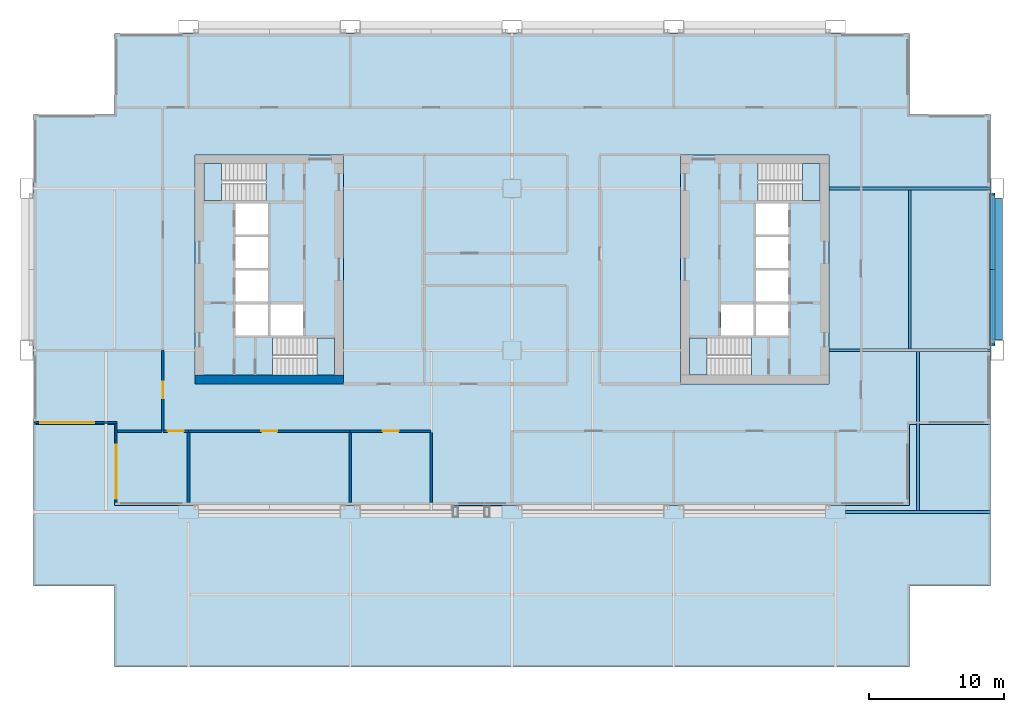
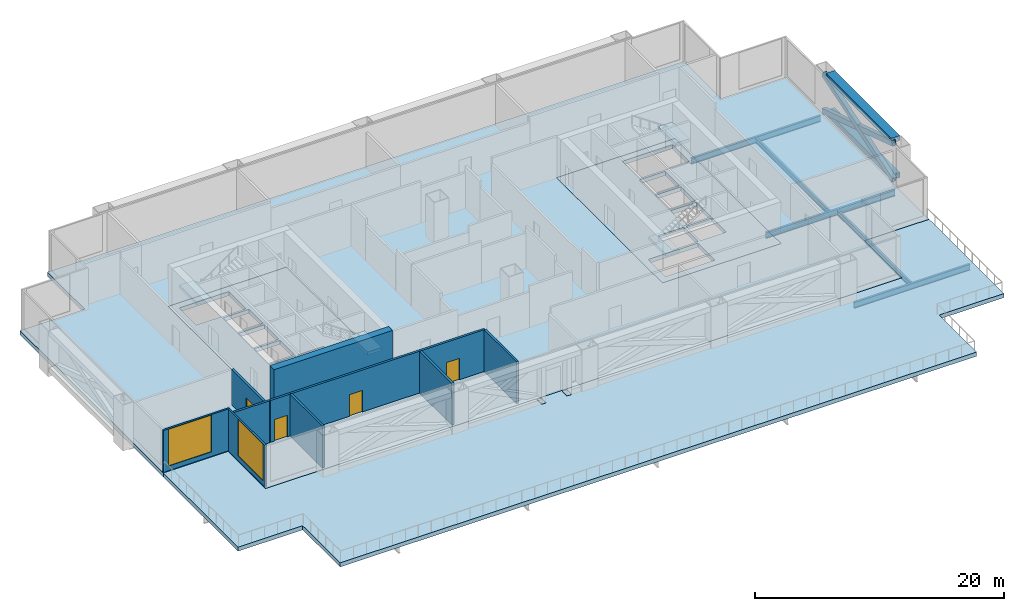
# One storey, part 3 of 8: 11 walls, 8 slabs, 7 beams, 4 doors, 2 members, 2 plates, 2 windows, 6 openings, 4 elements without a shape of their own.
"""IFC4 building model written with IfcOpenShell, lengths in metres."""

from ifc_helpers import new_model, si_unit, direction, frame, frame_2d, origin, origin_2d, place, context, subcontext, project, spatial, polyline, rectangle, hollow_rectangle, i_section, outline, extrude, material, layer, layer_set, material_profile, profile_set, type_object, element, fill, aggregate, save


model = new_model("IFC4")

# Units and contexts
model_context = context("Model", 3, precision=1e-05, world=origin(), true_north=direction((0.0, 1.0)))
body_context = subcontext(model_context, "Body", "Model", "MODEL_VIEW")
ifc_project = project(units=[si_unit("LENGTHUNIT", "METRE"), si_unit("AREAUNIT", "SQUARE_METRE"), si_unit("VOLUMEUNIT", "CUBIC_METRE"), si_unit("PLANEANGLEUNIT", "RADIAN"), si_unit("MASSUNIT", "GRAM", prefix="KILO")], contexts=[model_context])

# Site, building, storey
site_placement = place(None, origin())
site = spatial("IfcSite", under=ifc_project, at=site_placement, CompositionType="ELEMENT")
building_placement = place(site_placement, origin())
building = spatial("IfcBuilding", under=site, at=building_placement, Name="Kitamizu Gate Tower and Museum", CompositionType="ELEMENT")
storey_placement = place(building_placement, frame((0.0, 0.0, 92.10009765625)))
storey = spatial("IfcBuildingStorey", under=building, at=storey_placement, Name="L23", CompositionType="ELEMENT", Elevation=92.10009765625)

# Beams
ifc_material_1 = material(Name="Steel SM490A bronze coated", Category="steel")
ifc_material_profile_1 = material_profile(ifc_material_1, hollow_rectangle(XDim=0.800048828125, YDim=0.5, WallThickness=0.0400390625, at=origin_2d()), Name="BOX 800x500x40")
ifc_profile_set_1 = profile_set([ifc_material_profile_1], Name="Steel SM490A bronze coated")
beam_type_1 = type_object("IfcBeamType", Name="Belt truss chord BTC1 BOX 800x500x40", PredefinedType="BEAM", material=ifc_profile_set_1)
for number, where, z_axis, x_axis, name in (
    (1, (72.0, 24.75, 3.849853515625), (0.0, 1.0, 0.0), (-1.0, 0.0, 0.0), "Belt truss top chord east 24 L23"),
    (2, (72.0, 24.75, 0.25), (0.0, 1.0, 0.0), (-1.0, 0.0, 0.0), "Belt truss bottom chord east 24 L23"),
):
    element("IfcBeam", number, at=place(storey_placement, frame(where, z_axis=z_axis, x_axis=x_axis)), inside=storey, type_object=beam_type_1, Name=name, PredefinedType="BEAM", context=body_context, shape_type="SweptSolid", body=[
        extrude(hollow_rectangle(XDim=0.800048828125, YDim=0.5, WallThickness=0.0400390625, at=origin_2d()), origin(), (0.0, 0.0, 1.0), 10.5),
    ])

# Members
ifc_material_2 = material(Name="Steel SM490A bronze coated", Category="steel")
ifc_material_profile_2 = material_profile(ifc_material_2, hollow_rectangle(XDim=0.3798828125, YDim=0.5, WallThickness=0.028076171875, at=origin_2d()), Name="BOX 380x500x28")
ifc_profile_set_2 = profile_set([ifc_material_profile_2], Name="Steel SM490A bronze coated")
member_type = type_object("IfcMemberType", Name="Belt truss diagonal BTD1 BOX 380x500x28", PredefinedType="BRACE", material=ifc_profile_set_2)
for number, where, z_axis, x_axis, name in (
    (3, (71.639892578125, 24.39990234375, 0.25), (0.0, 0.952033743233, 0.30599305833), (-1.0, 0.0, 0.0), "Belt truss diagonal east 24 L23"),
    (4, (71.639892578125, 35.60009765625, 0.25), (0.0, -0.952033743233, 0.30599305833), (1.0, 0.0, 0.0), "Belt truss diagonal east 24 L23"),
):
    element("IfcMember", number, at=place(storey_placement, frame(where, z_axis=z_axis, x_axis=x_axis)), inside=storey, type_object=member_type, Name=name, PredefinedType="BRACE", context=body_context, shape_type="SweptSolid", body=[
        extrude(hollow_rectangle(XDim=0.3798828125, YDim=0.5, WallThickness=0.028076171875, at=origin_2d()), origin(), (0.0, 0.0, 1.0), 11.764404296875),
    ])

# Beams
ifc_material_3 = material(Name="Steel SM490A", Category="steel")
ifc_material_profile_3 = material_profile(ifc_material_3, i_section(OverallWidth=0.199951171875, OverallDepth=0.5, WebThickness=0.010009765625, FlangeThickness=0.01611328125, FilletRadius=0.02001953125, at=origin_2d()), Name="H-500x200x10x16")
ifc_profile_set_3 = profile_set([ifc_material_profile_3], Name="Steel SM490A")
beam_type_2 = type_object("IfcBeamType", Name="Floor beam FB1 H 500x200x10x16", PredefinedType="BEAM", material=ifc_profile_set_3)
for number, where, z_axis, x_axis, name in (
    (5, (66.125, 12.10009765625, -0.650146484375), (0.0, 1.0, 0.0), (-1.0, 0.0, 0.0), "Floor beam FB1 L23-8"),
    (6, (65.5, 24.10009765625, -0.650146484375), (0.0, 1.0, 0.0), (-1.0, 0.0, 0.0), "Floor beam FB1 L23-12"),
):
    element("IfcBeam", number, at=place(storey_placement, frame(where, z_axis=z_axis, x_axis=x_axis)), inside=storey, type_object=beam_type_2, Name=name, PredefinedType="BEAM", context=body_context, shape_type="SweptSolid", body=[
        extrude(i_section(OverallWidth=0.199951171875, OverallDepth=0.5, WebThickness=0.010009765625, FlangeThickness=0.01611328125, FilletRadius=0.02001953125, at=origin_2d()), origin(), (0.0, 0.0, 1.0), 11.7998046875),
    ])
ifc_material_4 = material(Name="Steel SM490A", Category="steel")
ifc_material_profile_4 = material_profile(ifc_material_4, i_section(OverallWidth=0.199951171875, OverallDepth=0.60009765625, WebThickness=0.010986328125, FlangeThickness=0.01708984375, FilletRadius=0.02197265625, at=origin_2d()), Name="H-600x200x11x17")
ifc_profile_set_4 = profile_set([ifc_material_profile_4], Name="Steel SM490A")
beam_type_3 = type_object("IfcBeamType", Name="Floor girder FG1 H 600x200x11x17", PredefinedType="BEAM", material=ifc_profile_set_4)
beam_placement = place(storey_placement, frame((60.75, 12.0, -0.7001953125), z_axis=(1.0, 0.0, 0.0), x_axis=(0.0, 1.0, 0.0)))
element("IfcBeam", 7, at=beam_placement, inside=storey, type_object=beam_type_3, Name="Floor girder FG1 y12 L23", PredefinedType="BEAM", context=body_context, shape_type="SweptSolid", body=[
    extrude(i_section(OverallWidth=0.199951171875, OverallDepth=0.60009765625, WebThickness=0.010986328125, FlangeThickness=0.01708984375, FilletRadius=0.02197265625, at=origin_2d()), origin(), (0.0, 0.0, 1.0), 10.75),
])
for number, where, z_axis, x_axis, name in (
    (8, (59.5, 24.0, -0.7001953125), (1.0, 0.0, 0.0), (0.0, 1.0, 0.0), "Floor girder FG1 y24 L23"),
    (9, (59.5, 36.0, -0.7001953125), (1.0, 0.0, 0.0), (0.0, 1.0, 0.0), "Floor girder FG1 y36 L23"),
):
    element("IfcBeam", number, at=place(storey_placement, frame(where, z_axis=z_axis, x_axis=x_axis)), inside=storey, type_object=beam_type_3, Name=name, PredefinedType="BEAM", context=body_context, shape_type="SweptSolid", body=[
        extrude(i_section(OverallWidth=0.199951171875, OverallDepth=0.60009765625, WebThickness=0.010986328125, FlangeThickness=0.01708984375, FilletRadius=0.02197265625, at=origin_2d()), origin(), (0.0, 0.0, 1.0), 12.0),
    ])

# Plates
ifc_material_5 = material(Name="Steel SM490A bronze coated", Category="steel")
ifc_layer_1 = layer(ifc_material_5, 0.031982421875)
ifc_layer_set_1 = layer_set([ifc_layer_1], Name="Steel SM490A bronze coated")
plate_type = type_object("IfcPlateType", Name="Belt truss jamb post base plate BTB1 32", PredefinedType="USERDEFINED", material=ifc_layer_set_1)
for number, where, z_axis, x_axis, name in (
    (10, (31.800048828125, 12.0, 0.0), (0.0, 0.0, 1.0), (1.0, 0.0, 0.0), "Belt truss jamb post base plate south 24 L23"),
    (11, (34.14990234375, 12.0, 0.0), (0.0, 0.0, 1.0), (1.0, 0.0, 0.0), "Belt truss jamb post base plate south 24 L23"),
):
    element("IfcPlate", number, at=place(storey_placement, frame(where, z_axis=z_axis, x_axis=x_axis)), inside=storey, type_object=plate_type, Name=name, ObjectType="POST BASE PLATE", PredefinedType="USERDEFINED", context=body_context, shape_type="SweptSolid", body=[
        extrude(rectangle(XDim=0.39990234375, YDim=0.760009765625, at=origin_2d()), origin(), (0.0, 0.0, 1.0), 0.031982421875),
    ])

# Slabs
ifc_material_6 = material(Name="Concrete Fc36", Category="concrete")
ifc_layer_2 = layer(ifc_material_6, 0.39990234375)
ifc_layer_set_2 = layer_set([ifc_layer_2], Name="Concrete Fc36")
slab_type_1 = type_object("IfcSlabType", Name="Core floor slab 400", PredefinedType="FLOOR", material=ifc_layer_set_2)
slab_1_placement = place(storey_placement, frame((0.0, 0.0, -0.400146484375)))
element("IfcSlab", 12, at=slab_1_placement, inside=storey, type_object=slab_type_1, Name="Core floor slab W", PredefinedType="FLOOR", context=body_context, shape_type="SweptSolid", body=[
    extrude(outline(polyline([(12.5, 21.5), (23.5, 21.5), (23.5, 38.5), (12.5, 38.5), (12.5, 21.5)]), holes=[polyline([(15.5, 25.10009765625), (17.89990234375, 25.10009765625), (17.89990234375, 27.39990234375), (15.5, 27.39990234375), (15.5, 25.10009765625)]), polyline([(15.5, 27.60009765625), (17.89990234375, 27.60009765625), (17.89990234375, 29.89990234375), (15.5, 29.89990234375), (15.5, 27.60009765625)]), polyline([(15.5, 30.10009765625), (17.89990234375, 30.10009765625), (17.89990234375, 32.39990234375), (15.5, 32.39990234375), (15.5, 30.10009765625)]), polyline([(15.5, 32.60009765625), (17.89990234375, 32.60009765625), (17.89990234375, 34.89990234375), (15.5, 34.89990234375), (15.5, 32.60009765625)]), polyline([(18.10009765625, 25.10009765625), (20.5, 25.10009765625), (20.5, 27.39990234375), (18.10009765625, 27.39990234375), (18.10009765625, 25.10009765625)]), polyline([(18.25048828125, 22.14990234375), (22.85009765625, 22.14990234375), (22.85009765625, 24.89990234375), (18.25048828125, 24.89990234375), (18.25048828125, 22.14990234375)]), polyline([(13.14990234375, 35.10009765625), (17.74951171875, 35.10009765625), (17.74951171875, 37.85009765625), (13.14990234375, 37.85009765625), (13.14990234375, 35.10009765625)])]), origin(), (0.0, 0.0, 1.0), 0.400146484375),
])
slab_2_placement = place(storey_placement, frame((0.0, 0.0, -0.400146484375)))
element("IfcSlab", 13, at=slab_2_placement, inside=storey, type_object=slab_type_1, Name="Core floor slab E", PredefinedType="FLOOR", context=body_context, shape_type="SweptSolid", body=[
    extrude(outline(polyline([(48.5, 21.5), (59.5, 21.5), (59.5, 38.5), (48.5, 38.5), (48.5, 21.5)]), holes=[polyline([(54.10009765625, 25.10009765625), (56.5, 25.10009765625), (56.5, 27.39990234375), (54.10009765625, 27.39990234375), (54.10009765625, 25.10009765625)]), polyline([(54.10009765625, 27.60009765625), (56.5, 27.60009765625), (56.5, 29.89990234375), (54.10009765625, 29.89990234375), (54.10009765625, 27.60009765625)]), polyline([(54.10009765625, 30.10009765625), (56.5, 30.10009765625), (56.5, 32.39990234375), (54.10009765625, 32.39990234375), (54.10009765625, 30.10009765625)]), polyline([(54.10009765625, 32.60009765625), (56.5, 32.60009765625), (56.5, 34.89990234375), (54.10009765625, 34.89990234375), (54.10009765625, 32.60009765625)]), polyline([(51.5, 25.10009765625), (53.89990234375, 25.10009765625), (53.89990234375, 27.39990234375), (51.5, 27.39990234375), (51.5, 25.10009765625)]), polyline([(49.14990234375, 22.14990234375), (53.74951171875, 22.14990234375), (53.74951171875, 24.89990234375), (49.14990234375, 24.89990234375), (49.14990234375, 22.14990234375)]), polyline([(54.25048828125, 35.10009765625), (58.85009765625, 35.10009765625), (58.85009765625, 37.85009765625), (54.25048828125, 37.85009765625), (54.25048828125, 35.10009765625)])]), origin(), (0.0, 0.0, 1.0), 0.400146484375),
])
ifc_material_7 = material(Name="Concrete Fc36", Category="concrete")
ifc_layer_3 = layer(ifc_material_7, 0.39990234375)
ifc_layer_set_3 = layer_set([ifc_layer_3], Name="Concrete Fc36")
slab_type_2 = type_object("IfcSlabType", Name="Post tensioned flat slab 400", PredefinedType="FLOOR", material=ifc_layer_set_3)
slab_3_placement = place(storey_placement, frame((0.0, 0.0, -0.400146484375)))
element("IfcSlab", 14, at=slab_3_placement, inside=storey, type_object=slab_type_2, Name="Floor slab L23-1", PredefinedType="FLOOR", context=body_context, shape_type="SweptSolid", body=[
    extrude(outline(polyline([(0.5, 41.5), (6.5, 41.5), (6.5, 47.5), (65.5, 47.5), (65.5, 41.5), (71.5, 41.5), (71.5, 18.5), (65.5, 18.5), (65.5, 12.5), (6.5, 12.5), (6.5, 18.5), (0.5, 18.5), (0.5, 41.5)]), holes=[polyline([(48.5, 38.5), (48.5, 21.5), (59.5, 21.5), (59.5, 38.5), (48.5, 38.5)]), polyline([(12.5, 21.5), (23.5, 21.5), (23.5, 38.5), (12.5, 38.5), (12.5, 21.5)])]), origin(), (0.0, 0.0, 1.0), 0.400146484375),
])

# Stair, slab
ifc_material_8 = material(Name="Concrete Fc42", Category="concrete")
stair_type = type_object("IfcStairType", Name="Exit stair 1275 wide 188 rise 300 going", PredefinedType="HALF_TURN_STAIR", material=ifc_material_8)
stair_1_placement = place(storey_placement, origin())
stair_1 = element("IfcStair", 15, at=stair_1_placement, inside=storey, type_object=stair_type, Name="Exit stair ST1", PredefinedType="HALF_TURN_STAIR")
ifc_material_9 = material(Name="Concrete Fc42", Category="concrete")
ifc_layer_4 = layer(ifc_material_9, 0.300048828125)
ifc_layer_set_4 = layer_set([ifc_layer_4], Name="Concrete Fc42")
slab_type_3 = type_object("IfcSlabType", Name="Stair landing 300", PredefinedType="LANDING", material=ifc_layer_set_4)
slab_4_placement = place(storey_placement, frame((0.0, 0.0, 1.949951171875)))
slab_4 = element("IfcSlab", 16, at=slab_4_placement, type_object=slab_type_3, Name="ST1 landing 1", PredefinedType="LANDING", context=body_context, shape_type="SweptSolid", body=[
    extrude(outline(polyline([(21.550048828125, 22.14990234375), (22.85009765625, 22.14990234375), (22.85009765625, 24.89990234375), (21.550048828125, 24.89990234375), (21.550048828125, 22.14990234375)])), origin(), (0.0, 0.0, 1.0), 0.300048828125),
])
aggregate(stair_1, [slab_4])

stair_2_placement = place(storey_placement, origin())
stair_2 = element("IfcStair", 17, at=stair_2_placement, inside=storey, type_object=stair_type, Name="Exit stair ST2", PredefinedType="HALF_TURN_STAIR")
slab_5_placement = place(storey_placement, frame((0.0, 0.0, 1.949951171875)))
slab_5 = element("IfcSlab", 18, at=slab_5_placement, type_object=slab_type_3, Name="ST2 landing 1", PredefinedType="LANDING", context=body_context, shape_type="SweptSolid", body=[
    extrude(outline(polyline([(13.14990234375, 35.10009765625), (14.449951171875, 35.10009765625), (14.449951171875, 37.85009765625), (13.14990234375, 37.85009765625), (13.14990234375, 35.10009765625)])), origin(), (0.0, 0.0, 1.0), 0.300048828125),
])
aggregate(stair_2, [slab_5])

stair_3_placement = place(storey_placement, origin())
stair_3 = element("IfcStair", 19, at=stair_3_placement, inside=storey, type_object=stair_type, Name="Exit stair ST3", PredefinedType="HALF_TURN_STAIR")
slab_6_placement = place(storey_placement, frame((0.0, 0.0, 1.949951171875)))
slab_6 = element("IfcSlab", 20, at=slab_6_placement, type_object=slab_type_3, Name="ST3 landing 1", PredefinedType="LANDING", context=body_context, shape_type="SweptSolid", body=[
    extrude(outline(polyline([(49.14990234375, 22.14990234375), (50.449951171875, 22.14990234375), (50.449951171875, 24.89990234375), (49.14990234375, 24.89990234375), (49.14990234375, 22.14990234375)])), origin(), (0.0, 0.0, 1.0), 0.300048828125),
])
aggregate(stair_3, [slab_6])

stair_4_placement = place(storey_placement, origin())
stair_4 = element("IfcStair", 21, at=stair_4_placement, inside=storey, type_object=stair_type, Name="Exit stair ST4", PredefinedType="HALF_TURN_STAIR")
slab_7_placement = place(storey_placement, frame((0.0, 0.0, 1.949951171875)))
slab_7 = element("IfcSlab", 22, at=slab_7_placement, type_object=slab_type_3, Name="ST4 landing 1", PredefinedType="LANDING", context=body_context, shape_type="SweptSolid", body=[
    extrude(outline(polyline([(57.550048828125, 35.10009765625), (58.85009765625, 35.10009765625), (58.85009765625, 37.85009765625), (57.550048828125, 37.85009765625), (57.550048828125, 35.10009765625)])), origin(), (0.0, 0.0, 1.0), 0.300048828125),
])
aggregate(stair_4, [slab_7])

# Slab
ifc_material_10 = material(Name="Concrete Fc36", Category="concrete")
ifc_layer_5 = layer(ifc_material_10, 0.39990234375)
ifc_layer_set_5 = layer_set([ifc_layer_5], Name="Concrete Fc36")
slab_type_4 = type_object("IfcSlabType", Name="Terrace slab 400", PredefinedType="FLOOR", material=ifc_layer_set_5)
slab_8_placement = place(storey_placement, frame((0.0, 0.0, -0.400146484375)))
element("IfcSlab", 23, at=slab_8_placement, inside=storey, type_object=slab_type_4, Name="Terrace slab L23-1", PredefinedType="FLOOR", context=body_context, shape_type="SweptSolid", body=[
    extrude(outline(polyline([(6.5, 0.5), (6.5, 6.5), (0.5, 6.5), (0.5, 18.5), (6.5, 18.5), (6.5, 12.5), (65.5, 12.5), (65.5, 18.5), (71.5, 18.5), (71.5, 6.5), (65.5, 6.5), (65.5, 0.5), (6.5, 0.5)])), origin(), (0.0, 0.0, 1.0), 0.400146484375),
])

# Wall
ifc_material_11 = material(Name="Concrete Fc60", Category="concrete")
ifc_layer_6 = layer(ifc_material_11, 0.64990234375)
ifc_layer_set_6 = layer_set([ifc_layer_6], Name="Concrete Fc60")
wall_type_1 = type_object("IfcWallType", Name="Core wall 650", PredefinedType="SHEAR", material=ifc_layer_set_6)
wall_1_placement = place(storey_placement, frame((12.5, 21.824951171875, 0.0), z_axis=(0.0, 0.0, 1.0), x_axis=(1.0, 0.0, 0.0)))
element("IfcWall", 24, at=wall_1_placement, inside=storey, type_object=wall_type_1, Name="Core wall WS", PredefinedType="SHEAR", context=body_context, shape_type="SweptSolid", body=[
    extrude(rectangle(XDim=11.0, YDim=0.64990234375, at=frame_2d((5.5, 0.0))), origin(), (0.0, 0.0, 1.0), 4.099853515625),
])

# Wall, opening, door
ifc_material_12 = material(Name="Gypsum board on galvanised stud")
ifc_layer_7 = layer(ifc_material_12, 0.199951171875)
ifc_layer_set_7 = layer_set([ifc_layer_7], Name="Gypsum board on galvanised stud")
wall_type_2 = type_object("IfcWallType", Name="Partition 200", PredefinedType="PARTITIONING", material=ifc_layer_set_7)
wall_2_placement = place(storey_placement, frame((10.10009765625, 18.0, 0.0), z_axis=(0.0, 0.0, 1.0), x_axis=(1.0, 0.0, 0.0)))
wall_2 = element("IfcWall", 25, at=wall_2_placement, inside=storey, type_object=wall_type_2, Name="Partition L23-008", PredefinedType="PARTITIONING", context=body_context, shape_type="SweptSolid", body=[
    extrude(rectangle(XDim=1.89990234375, YDim=0.199951171875, at=frame_2d((0.949951171875, 0.0))), origin(), (0.0, 0.0, 1.0), 4.099853515625),
])
opening_1_placement = place(wall_2_placement, frame((0.35009765625, 0.0, 0.0)))
opening_1 = element("IfcOpeningElement", 26, at=opening_1_placement, cuts=wall_2, Name="Opening L23-003", PredefinedType="OPENING", context=body_context, shape_type="SweptSolid", body=[
    extrude(rectangle(XDim=1.199951171875, YDim=2.10009765625, at=frame_2d((0.60009765625, 1.050048828125))), frame((0.0, 0.10986328125, 0.0), z_axis=(0.0, -1.0, 0.0), x_axis=(1.0, 0.0, 0.0)), (0.0, 0.0, 1.0), 0.219970703125),
])
ifc_material_13 = material(Name="Timber door set", Category="wood")
door_type = type_object("IfcDoorType", Name="Plant room door 1200", OperationType="DOUBLE_DOOR_SINGLE_SWING", PredefinedType="DOOR", material=ifc_material_13)
door_1_placement = place(opening_1_placement, origin())
door_1 = element("IfcDoor", 27, at=door_1_placement, inside=storey, type_object=door_type, Name="Plant room door L23-003", OperationType="DOUBLE_DOOR_SINGLE_SWING", OverallHeight=2.10009765625, OverallWidth=1.199951171875, PredefinedType="DOOR", context=body_context, shape_type="SweptSolid", body=[
    extrude(rectangle(XDim=1.199951171875, YDim=2.10009765625, at=frame_2d((0.60009765625, 1.050048828125))), frame((0.0, 0.02490234375, 0.0), z_axis=(0.0, -1.0, 0.0), x_axis=(1.0, 0.0, 0.0)), (0.0, 0.0, 1.0), 0.050048828125),
])
fill(opening_1, door_1)

wall_3_placement = place(storey_placement, frame((12.0, 18.0, 0.0), z_axis=(0.0, 0.0, 1.0), x_axis=(1.0, 0.0, 0.0)))
wall_3 = element("IfcWall", 28, at=wall_3_placement, inside=storey, type_object=wall_type_2, Name="Partition L23-009", PredefinedType="PARTITIONING", context=body_context, shape_type="SweptSolid", body=[
    extrude(rectangle(XDim=12.0, YDim=0.199951171875, at=frame_2d((6.0, 0.0))), origin(), (0.0, 0.0, 1.0), 4.099853515625),
])
opening_2_placement = place(wall_3_placement, frame((5.39990234375, 0.0, 0.0)))
opening_2 = element("IfcOpeningElement", 29, at=opening_2_placement, cuts=wall_3, Name="Opening L23-004", PredefinedType="OPENING", context=body_context, shape_type="SweptSolid", body=[
    extrude(rectangle(XDim=1.199951171875, YDim=2.10009765625, at=frame_2d((0.60009765625, 1.050048828125))), frame((0.0, 0.10986328125, 0.0), z_axis=(0.0, -1.0, 0.0), x_axis=(1.0, 0.0, 0.0)), (0.0, 0.0, 1.0), 0.219970703125),
])
door_2_placement = place(opening_2_placement, origin())
door_2 = element("IfcDoor", 30, at=door_2_placement, inside=storey, type_object=door_type, Name="Plant room door L23-004", OperationType="DOUBLE_DOOR_SINGLE_SWING", OverallHeight=2.10009765625, OverallWidth=1.199951171875, PredefinedType="DOOR", context=body_context, shape_type="SweptSolid", body=[
    extrude(rectangle(XDim=1.199951171875, YDim=2.10009765625, at=frame_2d((0.60009765625, 1.050048828125))), frame((0.0, 0.02490234375, 0.0), z_axis=(0.0, -1.0, 0.0), x_axis=(1.0, 0.0, 0.0)), (0.0, 0.0, 1.0), 0.050048828125),
])
fill(opening_2, door_2)

wall_4_placement = place(storey_placement, frame((24.0, 18.0, 0.0), z_axis=(0.0, 0.0, 1.0), x_axis=(1.0, 0.0, 0.0)))
wall_4 = element("IfcWall", 31, at=wall_4_placement, inside=storey, type_object=wall_type_2, Name="Partition L23-010", PredefinedType="PARTITIONING", context=body_context, shape_type="SweptSolid", body=[
    extrude(rectangle(XDim=6.0, YDim=0.199951171875, at=frame_2d((3.0, 0.0))), origin(), (0.0, 0.0, 1.0), 4.099853515625),
])
opening_3_placement = place(wall_4_placement, frame((2.39990234375, 0.0, 0.0)))
opening_3 = element("IfcOpeningElement", 32, at=opening_3_placement, cuts=wall_4, Name="Opening L23-005", PredefinedType="OPENING", context=body_context, shape_type="SweptSolid", body=[
    extrude(rectangle(XDim=1.199951171875, YDim=2.10009765625, at=frame_2d((0.60009765625, 1.050048828125))), frame((0.0, 0.10986328125, 0.0), z_axis=(0.0, -1.0, 0.0), x_axis=(1.0, 0.0, 0.0)), (0.0, 0.0, 1.0), 0.219970703125),
])
door_3_placement = place(opening_3_placement, origin())
door_3 = element("IfcDoor", 33, at=door_3_placement, inside=storey, type_object=door_type, Name="Plant room door L23-005", OperationType="DOUBLE_DOOR_SINGLE_SWING", OverallHeight=2.10009765625, OverallWidth=1.199951171875, PredefinedType="DOOR", context=body_context, shape_type="SweptSolid", body=[
    extrude(rectangle(XDim=1.199951171875, YDim=2.10009765625, at=frame_2d((0.60009765625, 1.050048828125))), frame((0.0, 0.02490234375, 0.0), z_axis=(0.0, -1.0, 0.0), x_axis=(1.0, 0.0, 0.0)), (0.0, 0.0, 1.0), 0.050048828125),
])
fill(opening_3, door_3)

# Wall
wall_5_placement = place(storey_placement, frame((30.0, 17.89990234375, 0.0), z_axis=(0.0, 0.0, 1.0), x_axis=(0.0, -1.0, 0.0)))
element("IfcWall", 34, at=wall_5_placement, inside=storey, type_object=wall_type_2, Name="Partition L23-011", PredefinedType="PARTITIONING", context=body_context, shape_type="SweptSolid", body=[
    extrude(rectangle(XDim=5.179931640625, YDim=0.199951171875, at=frame_2d((2.58984375, 0.0))), origin(), (0.0, 0.0, 1.0), 4.099853515625),
])

# Wall, opening, door
wall_6_placement = place(storey_placement, frame((10.10009765625, 24.0, 0.0), z_axis=(0.0, 0.0, 1.0), x_axis=(0.0, -1.0, 0.0)))
wall_6 = element("IfcWall", 35, at=wall_6_placement, inside=storey, type_object=wall_type_2, Name="Partition L23-022", PredefinedType="PARTITIONING", context=body_context, shape_type="SweptSolid", body=[
    extrude(rectangle(XDim=5.89990234375, YDim=0.199951171875, at=frame_2d((2.949951171875, 0.0))), origin(), (0.0, 0.0, 1.0), 3.5),
])
opening_4_placement = place(wall_6_placement, frame((2.35009765625, 0.0, 0.0)))
opening_4 = element("IfcOpeningElement", 36, at=opening_4_placement, cuts=wall_6, Name="Opening L23-015", PredefinedType="OPENING", context=body_context, shape_type="SweptSolid", body=[
    extrude(rectangle(XDim=1.199951171875, YDim=2.10009765625, at=frame_2d((0.60009765625, 1.050048828125))), frame((0.0, 0.10986328125, 0.0), z_axis=(0.0, -1.0, 0.0), x_axis=(1.0, 0.0, 0.0)), (0.0, 0.0, 1.0), 0.219970703125),
])
door_4_placement = place(opening_4_placement, origin())
door_4 = element("IfcDoor", 37, at=door_4_placement, inside=storey, type_object=door_type, Name="Plant room door L23-015", OperationType="DOUBLE_DOOR_SINGLE_SWING", OverallHeight=2.10009765625, OverallWidth=1.199951171875, PredefinedType="DOOR", context=body_context, shape_type="SweptSolid", body=[
    extrude(rectangle(XDim=1.199951171875, YDim=2.10009765625, at=frame_2d((0.60009765625, 1.050048828125))), frame((0.0, 0.02490234375, 0.0), z_axis=(0.0, -1.0, 0.0), x_axis=(1.0, 0.0, 0.0)), (0.0, 0.0, 1.0), 0.050048828125),
])
fill(opening_4, door_4)

# Walls
wall_7_placement = place(storey_placement, frame((12.0, 12.719970703125, 0.0), z_axis=(0.0, 0.0, 1.0), x_axis=(0.0, 1.0, 0.0)))
element("IfcWall", 38, at=wall_7_placement, inside=storey, type_object=wall_type_2, Name="Partition L23-043", PredefinedType="PARTITIONING", context=body_context, shape_type="SweptSolid", body=[
    extrude(rectangle(XDim=5.179931640625, YDim=0.199951171875, at=frame_2d((2.58984375, 0.0))), origin(), (0.0, 0.0, 1.0), 4.099853515625),
])
wall_8_placement = place(storey_placement, frame((10.0, 18.0, 0.0), z_axis=(0.0, 0.0, 1.0), x_axis=(-1.0, 0.0, 0.0)))
element("IfcWall", 39, at=wall_8_placement, inside=storey, type_object=wall_type_2, Name="Partition L23-044", PredefinedType="PARTITIONING", context=body_context, shape_type="SweptSolid", body=[
    extrude(rectangle(XDim=3.280029296875, YDim=0.199951171875, at=frame_2d((1.64013671875, 0.0))), origin(), (0.0, 0.0, 1.0), 4.099853515625),
])
wall_9_placement = place(storey_placement, frame((24.0, 12.719970703125, 0.0), z_axis=(0.0, 0.0, 1.0), x_axis=(0.0, 1.0, 0.0)))
element("IfcWall", 40, at=wall_9_placement, inside=storey, type_object=wall_type_2, Name="Partition L23-045", PredefinedType="PARTITIONING", context=body_context, shape_type="SweptSolid", body=[
    extrude(rectangle(XDim=5.179931640625, YDim=0.199951171875, at=frame_2d((2.58984375, 0.0))), origin(), (0.0, 0.0, 1.0), 4.099853515625),
])

# Wall, opening, window
ifc_material_14 = material(Name="Bronze anodised aluminium frame with insulated spandrel and tinted glass", Category="aluminium")
ifc_layer_8 = layer(ifc_material_14, 0.14990234375)
ifc_layer_set_8 = layer_set([ifc_layer_8], Name="Bronze anodised aluminium frame with insulated spandrel and tinted glass")
wall_type_3 = type_object("IfcWallType", Name="WINDOW WALL 150 BRONZE FRAME EI 60", PredefinedType="ELEMENTEDWALL", material=ifc_layer_set_8)
wall_10_placement = place(storey_placement, frame((0.56005859375, 18.635009765625, 0.0), z_axis=(0.0, 0.0, 1.0), x_axis=(1.0, 0.0, 0.0)))
wall_10 = element("IfcWall", 41, at=wall_10_placement, inside=storey, type_object=wall_type_3, Name="Window wall south L23", PredefinedType="ELEMENTEDWALL", context=body_context, shape_type="SweptSolid", body=[
    extrude(rectangle(XDim=6.14990234375, YDim=0.14990234375, at=frame_2d((3.074951171875, 0.0))), origin(), (0.0, 0.0, 1.0), 4.099853515625),
])
opening_5_placement = place(wall_10_placement, frame((0.43994140625, 0.0, 0.449951171875)))
opening_5 = element("IfcOpeningElement", 42, at=opening_5_placement, cuts=wall_10, Name="Opening W18", PredefinedType="OPENING", context=body_context, shape_type="SweptSolid", body=[
    extrude(rectangle(XDim=4.0, YDim=3.60009765625, at=frame_2d((2.0, 1.800048828125))), frame((0.0, 0.0849609375, 0.0), z_axis=(0.0, -1.0, 0.0), x_axis=(1.0, 0.0, 0.0)), (0.0, 0.0, 1.0), 0.169921875),
])
ifc_material_15 = material(Name="Bronze anodised aluminium frame, tinted triple glazing", Category="aluminium")
window_type = type_object("IfcWindowType", Name="WINDOW 4000 x 3600 SILL 450", PartitioningType="SINGLE_PANEL", PredefinedType="WINDOW", material=ifc_material_15)
window_1_placement = place(opening_5_placement, origin())
window_1 = element("IfcWindow", 43, at=window_1_placement, inside=storey, type_object=window_type, Name="Window W18 L23", OverallHeight=3.60009765625, OverallWidth=4.0, PartitioningType="SINGLE_PANEL", PredefinedType="WINDOW", context=body_context, shape_type="SweptSolid", body=[
    extrude(rectangle(XDim=4.0, YDim=3.60009765625, at=frame_2d((2.0, 1.800048828125))), frame((0.0, 0.030029296875, 0.0), z_axis=(0.0, -1.0, 0.0), x_axis=(1.0, 0.0, 0.0)), (0.0, 0.0, 1.0), 0.06005859375),
])
fill(opening_5, window_1)

wall_11_placement = place(storey_placement, frame((6.635009765625, 12.7099609375, 0.0), z_axis=(0.0, 0.0, 1.0), x_axis=(0.0, 1.0, 0.0)))
wall_11 = element("IfcWall", 44, at=wall_11_placement, inside=storey, type_object=wall_type_3, Name="Window wall west L23", PredefinedType="ELEMENTEDWALL", context=body_context, shape_type="SweptSolid", body=[
    extrude(rectangle(XDim=5.85009765625, YDim=0.14990234375, at=frame_2d((2.925048828125, 0.0))), origin(), (0.0, 0.0, 1.0), 4.099853515625),
])
opening_6_placement = place(wall_11_placement, frame((0.2900390625, 0.0, 0.449951171875)))
opening_6 = element("IfcOpeningElement", 45, at=opening_6_placement, cuts=wall_11, Name="Opening W18", PredefinedType="OPENING", context=body_context, shape_type="SweptSolid", body=[
    extrude(rectangle(XDim=4.0, YDim=3.60009765625, at=frame_2d((2.0, 1.800048828125))), frame((0.0, 0.0849609375, 0.0), z_axis=(0.0, -1.0, 0.0), x_axis=(1.0, 0.0, 0.0)), (0.0, 0.0, 1.0), 0.169921875),
])
window_2_placement = place(opening_6_placement, origin())
window_2 = element("IfcWindow", 46, at=window_2_placement, inside=storey, type_object=window_type, Name="Window W18 L23", OverallHeight=3.60009765625, OverallWidth=4.0, PartitioningType="SINGLE_PANEL", PredefinedType="WINDOW", context=body_context, shape_type="SweptSolid", body=[
    extrude(rectangle(XDim=4.0, YDim=3.60009765625, at=frame_2d((2.0, 1.800048828125))), frame((0.0, 0.030029296875, 0.0), z_axis=(0.0, -1.0, 0.0), x_axis=(1.0, 0.0, 0.0)), (0.0, 0.0, 1.0), 0.06005859375),
])
fill(opening_6, window_2)

save(model, "model.ifc")
